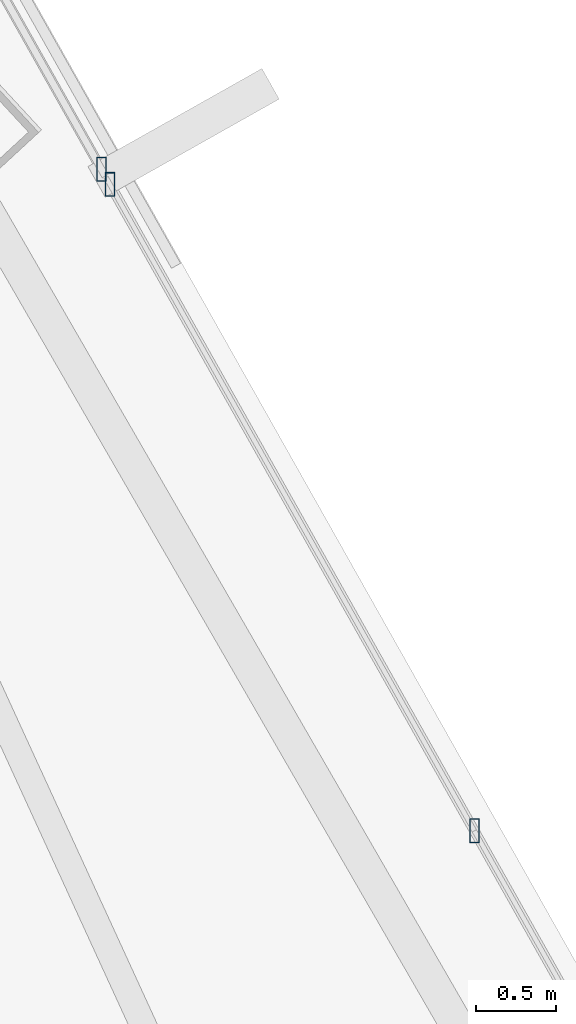
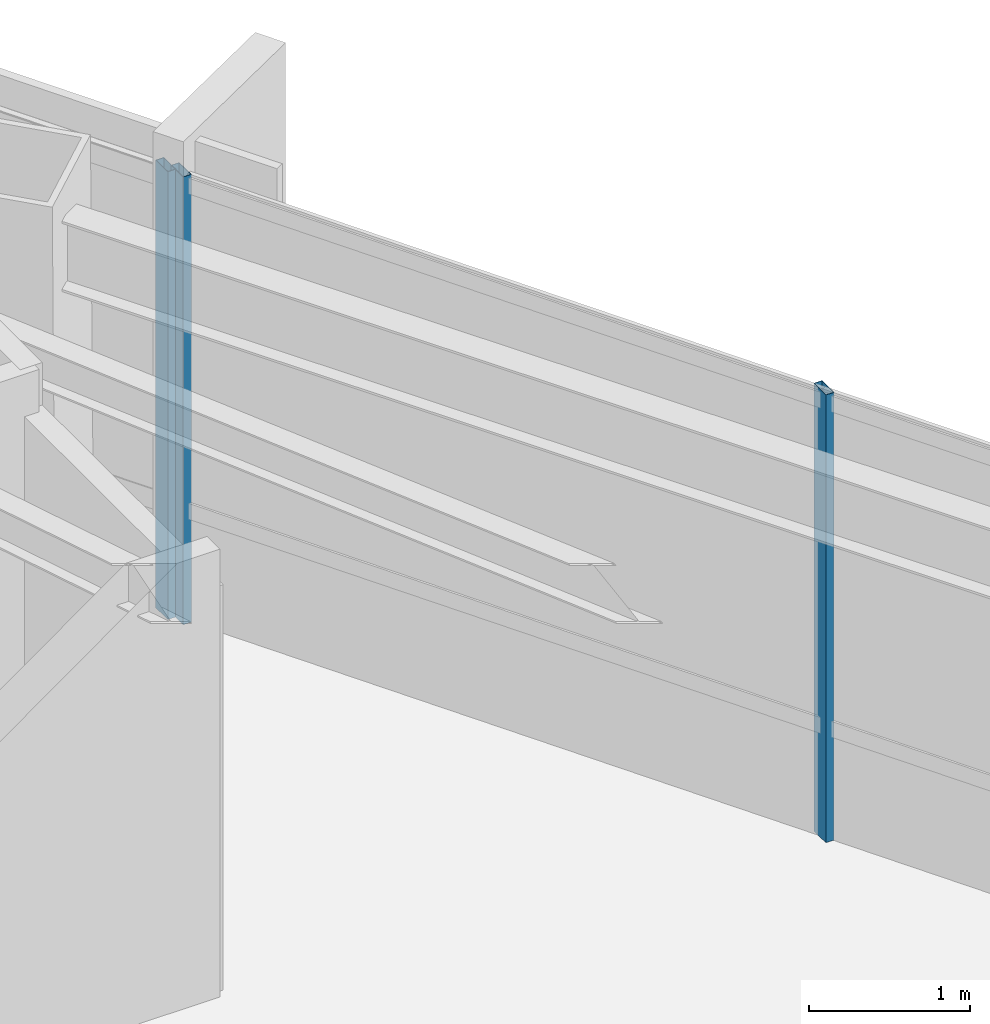
# One storey, part 24 of 42: 3 members, 2 elements without a shape of their own.
"""IFC4 building model written with IfcOpenShell, lengths in metres."""

from ifc_helpers import new_model, si_unit, direction, frame, origin, origin_2d, place, context, subcontext, project, spatial, hollow_rectangle, extrude, source, transform, mapped, material, material_profile, profile_set, type_object, type_shapes, element, aggregate, save


model = new_model("IFC4")

# Units and contexts
model_context = context("Model", 3, precision=1e-05, world=origin(), true_north=direction((0.0, 1.0)))
body_context = subcontext(model_context, "Body", "Model", "MODEL_VIEW")
ifc_project = project(units=[si_unit("LENGTHUNIT", "METRE"), si_unit("AREAUNIT", "SQUARE_METRE"), si_unit("VOLUMEUNIT", "CUBIC_METRE"), si_unit("PLANEANGLEUNIT", "RADIAN"), si_unit("MASSUNIT", "GRAM", prefix="KILO")], contexts=[model_context])

# Site, building, storey
site_placement = place(None, origin())
site = spatial("IfcSite", under=ifc_project, at=site_placement, CompositionType="ELEMENT")
building_placement = place(site_placement, origin())
building = spatial("IfcBuilding", under=site, at=building_placement, Name="Caelisora Broadcast Tower", CompositionType="ELEMENT")
storey_placement = place(building_placement, frame((0.0, 0.0, 187.699951171875)))
storey = spatial("IfcBuildingStorey", under=building, at=storey_placement, Name="L49", CompositionType="ELEMENT", Elevation=187.699951171875)

# Curtain wall, member
ifc_material_1 = material(Name="Unitised Aluminium Insulated Shadow-Box Spandrel Curtain Wall", Category="aluminium")
curtain_wall_type_1 = type_object("IfcCurtainWallType", Name="CW-SP2", PredefinedType="NOTDEFINED", material=ifc_material_1)
curtain_wall_1_placement = place(storey_placement, origin())
curtain_wall_1 = element("IfcCurtainWall", 1, at=curtain_wall_1_placement, inside=storey, type_object=curtain_wall_type_1, Name="L49 curtain wall CW-SP2", PredefinedType="NOTDEFINED")
ifc_material_2 = material(Name="Aluminium 6063-T6 Anodised Terracotta Bronze", Category="aluminium")
ifc_material_profile = material_profile(ifc_material_2, hollow_rectangle(XDim=0.06005859375, YDim=0.14990234375, WallThickness=0.00341796875, at=origin_2d()), Name="Aluminium 6063-T6 Anodised Terracotta Bronze")
ifc_profile_set = profile_set([ifc_material_profile], Name="Aluminium 6063-T6 Anodised Terracotta Bronze")
member_type = type_object("IfcMemberType", Name="CWM-03", PredefinedType="MULLION", material=ifc_profile_set)
shared_shape = source(origin(), body_context, "Body", "SweptSolid", [
    extrude(hollow_rectangle(XDim=0.06005859375, YDim=0.14990234375, WallThickness=0.00341796875, at=origin_2d()), origin(), (0.0, 0.0, 1.0), 3.400146484375),
])
type_shapes(member_type, [shared_shape])
member_1_placement = place(storey_placement, frame((55.619140625, 26.89990234375, 0.0), z_axis=(0.0, 0.0, 1.0), x_axis=(1.0, 0.0, 0.0)))
member_1 = element("IfcMember", 2, at=member_1_placement, type_object=member_type, Name="L49-CW-B02 mullion #3", PredefinedType="MULLION", context=body_context, shape_type="MappedRepresentation", body=[
    mapped(shared_shape, transform((0.0, 0.0, 0.0), scale=1.0)),
])
aggregate(curtain_wall_1, [member_1])

# Curtain wall, members
ifc_material_3 = material(Name="Unitised Aluminium and Low-E Glass Curtain Wall", Category="glass")
curtain_wall_type_2 = type_object("IfcCurtainWallType", Name="CW-Z4", PredefinedType="NOTDEFINED", material=ifc_material_3)
curtain_wall_2_placement = place(storey_placement, origin())
curtain_wall_2 = element("IfcCurtainWall", 3, at=curtain_wall_2_placement, inside=storey, type_object=curtain_wall_type_2, Name="L49 curtain wall CW-Z4", PredefinedType="NOTDEFINED")
member_2_placement = place(storey_placement, frame((55.673095703125, 26.803955078125, 0.0), z_axis=(0.0, 0.0, 1.0), x_axis=(1.0, 0.0, 0.0)))
member_2 = element("IfcMember", 4, at=member_2_placement, type_object=member_type, Name="L49-CW-B03 mullion #0", PredefinedType="MULLION", context=body_context, shape_type="MappedRepresentation", body=[
    mapped(shared_shape, transform((0.0, 0.0, 0.0), scale=1.0)),
])
member_3_placement = place(storey_placement, frame((57.9541015625, 22.7578125, 0.0), z_axis=(0.0, 0.0, 1.0), x_axis=(1.0, 0.0, 0.0)))
member_3 = element("IfcMember", 5, at=member_3_placement, type_object=member_type, Name="L49-CW-B03 mullion #1", PredefinedType="MULLION", context=body_context, shape_type="MappedRepresentation", body=[
    mapped(shared_shape, transform((0.0, 0.0, 0.0), scale=1.0)),
])
aggregate(curtain_wall_2, [member_2, member_3])

save(model, "model.ifc")
